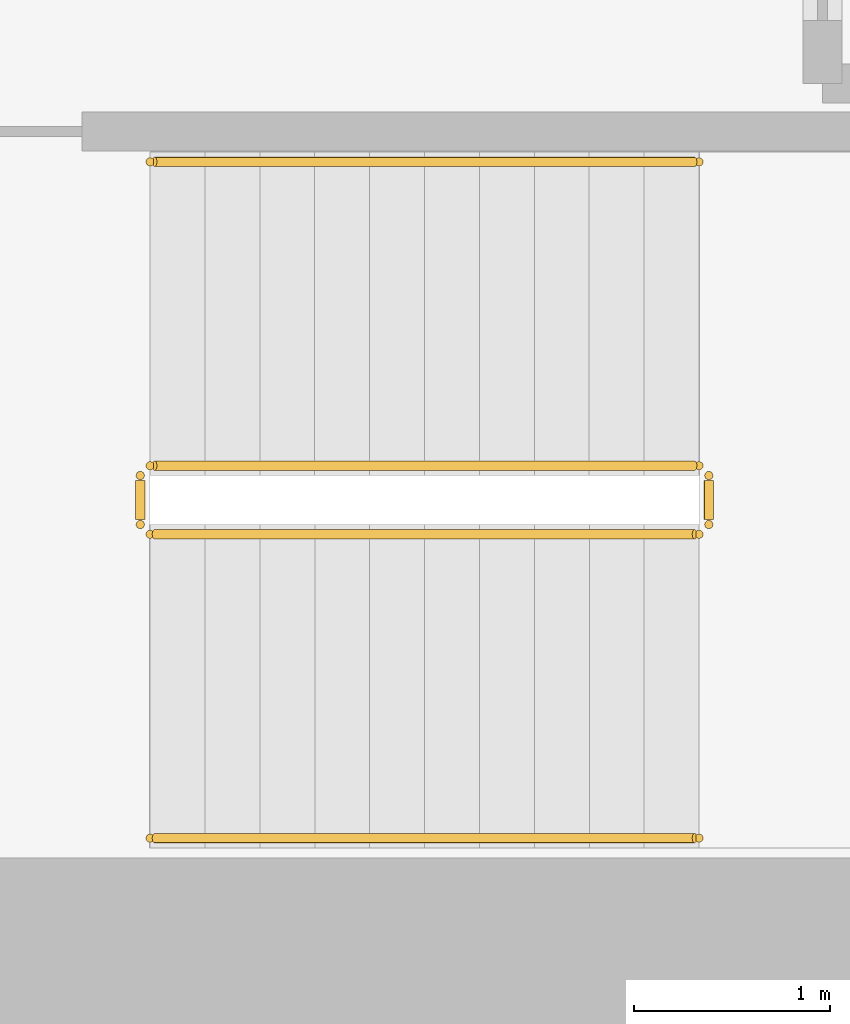
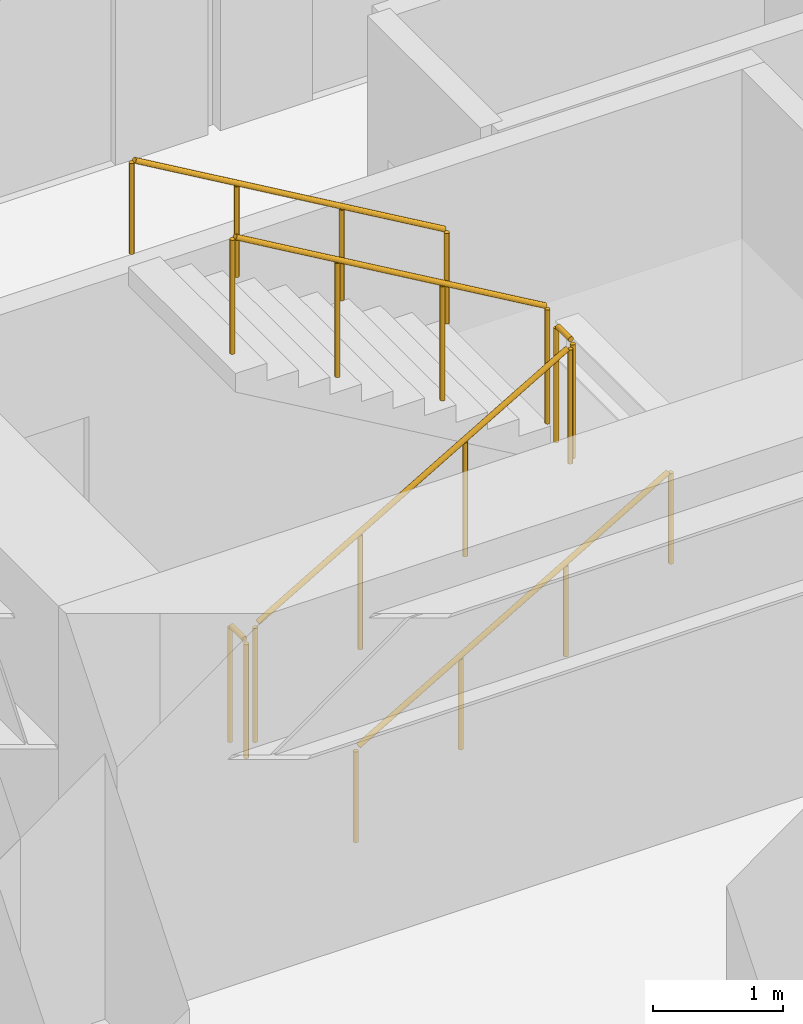
# One storey, part 14 of 14: 6 railings.
"""IFC4 building model written with IfcOpenShell, lengths in metres."""

from ifc_helpers import new_model, si_unit, direction, frame, origin, origin_2d, place, context, subcontext, project, spatial, circle, extrude, source, transform, mapped, material, layer, layer_set, type_object, element, save


model = new_model("IFC4")

# Units and contexts
model_context = context("Model", 3, precision=1e-05, world=origin(), true_north=direction((0.0, 1.0)))
body_context = subcontext(model_context, "Body", "Model", "MODEL_VIEW")
ifc_project = project(units=[si_unit("LENGTHUNIT", "METRE"), si_unit("AREAUNIT", "SQUARE_METRE"), si_unit("VOLUMEUNIT", "CUBIC_METRE"), si_unit("PLANEANGLEUNIT", "RADIAN"), si_unit("MASSUNIT", "GRAM", prefix="KILO")], contexts=[model_context])

# Site, building, storey
site_placement = place(None, origin())
site = spatial("IfcSite", under=ifc_project, at=site_placement, CompositionType="ELEMENT")
building_placement = place(site_placement, origin())
building = spatial("IfcBuilding", under=site, at=building_placement, Name="Kharzan Plaza Tower", CompositionType="ELEMENT")
storey_placement = place(building_placement, frame((0.0, 0.0, 36.89990234375)))
storey = spatial("IfcBuildingStorey", under=building, at=storey_placement, Name="L09", CompositionType="ELEMENT", Elevation=36.89990234375)

# Railings
ifc_material_1 = material(Name="Painted Galvanized Architectural Steel", Category="steel")
ifc_layer_1 = layer(ifc_material_1, 0.074951171875)
ifc_layer_set_1 = layer_set([ifc_layer_1], Name="Painted Galvanized Architectural Steel")
railing_type_1 = type_object("IfcRailingType", Name="RL-GUARD-1120", PredefinedType="BALUSTRADE", material=ifc_layer_set_1)
shared_shape_1 = source(origin(), body_context, "Body", "SweptSolid", [
    extrude(circle(Radius=0.02392578125, at=origin_2d()), frame((0.0, 0.0263671875, 1.09619140625), z_axis=(0.0, 1.0, 0.0), x_axis=(-1.0, 0.0, 0.0)), (0.0, 0.0, 1.0), 0.197021484375),
    extrude(circle(Radius=0.02099609375, at=origin_2d()), origin(), (0.0, 0.0, 1.0), 1.072021484375),
    extrude(circle(Radius=0.02099609375, at=origin_2d()), frame((0.0, 0.25, 0.0)), (0.0, 0.0, 1.0), 1.072021484375),
])
for number, where, name in (
    (1, (41.10009765625, 6.64990234375, 1.800048828125), "L09 ST-3 stair guard 2"),
    (2, (38.199951171875, 6.64990234375, 0.0), "L09 ST-3 stair guard 4"),
):
    element("IfcRailing", number, at=place(storey_placement, frame(where)), inside=storey, type_object=railing_type_1, Name=name, PredefinedType="BALUSTRADE", context=body_context, shape_type="MappedRepresentation", body=[
        mapped(shared_shape_1, transform((0.0, 0.0, 0.0), x_axis=(1.0, 0.0, 0.0), y_axis=(0.0, 1.0, 0.0), z_axis=(0.0, 0.0, 1.0))),
    ])
shared_shape_2 = source(origin(), body_context, "Body", "SweptSolid", [
    extrude(circle(Radius=0.02392578125, at=origin_2d()), frame((-0.02294921875, 0.0, 1.109375), z_axis=(-0.863360870873, 0.0, 0.504586966384), x_axis=(0.0, -1.0, 0.0)), (0.0, 0.0, 1.0), 3.190185546875),
    extrude(circle(Radius=0.02099609375, at=origin_2d()), origin(), (0.0, 0.0, 1.0), 1.072021484375),
    extrude(circle(Radius=0.02099609375, at=origin_2d()), frame((-0.933349609375, 0.0, 0.54541015625)), (0.0, 0.0, 1.0), 1.072021484375),
    extrude(circle(Radius=0.02099609375, at=origin_2d()), frame((-1.86669921875, 0.0, 1.091064453125)), (0.0, 0.0, 1.0), 1.072021484375),
    extrude(circle(Radius=0.02099609375, at=origin_2d()), frame((-2.800048828125, 0.0, 1.636474609375)), (0.0, 0.0, 1.0), 1.072021484375),
])
railing_1_placement = place(storey_placement, frame((41.050048828125, 6.949951171875, 1.963623046875)))
element("IfcRailing", 3, at=railing_1_placement, inside=storey, type_object=railing_type_1, Name="L09 ST-3 stair guard 3", PredefinedType="BALUSTRADE", context=body_context, shape_type="MappedRepresentation", body=[
    mapped(shared_shape_2, transform((0.0, 0.0, 0.0), x_axis=(1.0, 0.0, 0.0), y_axis=(0.0, 1.0, 0.0), z_axis=(0.0, 0.0, 1.0))),
])
ifc_material_2 = material(Name="Brushed Stainless Steel", Category="steel")
ifc_layer_2 = layer(ifc_material_2, 0.050048828125)
ifc_layer_set_2 = layer_set([ifc_layer_2], Name="Brushed Stainless Steel")
railing_type_2 = type_object("IfcRailingType", Name="RL-STAIR-HR920", PredefinedType="HANDRAIL", material=ifc_layer_set_2)
shared_shape_3 = source(origin(), body_context, "Body", "SweptSolid", [
    extrude(circle(Radius=0.02392578125, at=origin_2d()), frame((-0.02294921875, 0.0, 0.88916015625), z_axis=(-0.863360870873, 0.0, 0.504586966384), x_axis=(0.0, -1.0, 0.0)), (0.0, 0.0, 1.0), 3.190185546875),
    extrude(circle(Radius=0.02099609375, at=origin_2d()), origin(), (0.0, 0.0, 1.0), 0.851806640625),
    extrude(circle(Radius=0.02099609375, at=origin_2d()), frame((-0.933349609375, 0.0, 0.54541015625)), (0.0, 0.0, 1.0), 0.851806640625),
    extrude(circle(Radius=0.02099609375, at=origin_2d()), frame((-1.86669921875, 0.0, 1.091064453125)), (0.0, 0.0, 1.0), 0.851806640625),
    extrude(circle(Radius=0.02099609375, at=origin_2d()), frame((-2.800048828125, 0.0, 1.636474609375)), (0.0, 0.0, 1.0), 0.851806640625),
])
railing_2_placement = place(storey_placement, frame((41.050048828125, 8.5, 1.963623046875)))
element("IfcRailing", 4, at=railing_2_placement, inside=storey, type_object=railing_type_2, Name="L09 ST-3 stair handrail 2", PredefinedType="HANDRAIL", context=body_context, shape_type="MappedRepresentation", body=[
    mapped(shared_shape_3, transform((0.0, 0.0, 0.0), x_axis=(1.0, 0.0, 0.0), y_axis=(0.0, 1.0, 0.0), z_axis=(0.0, 0.0, 1.0))),
])
shared_shape_4 = source(origin(), body_context, "Body", "SweptSolid", [
    extrude(circle(Radius=0.02392578125, at=origin_2d()), frame((0.02294921875, 0.0, 1.109375), z_axis=(0.863393664356, 0.0, 0.504530851732), x_axis=(0.0, 1.0, 0.0)), (0.0, 0.0, 1.0), 3.190185546875),
    extrude(circle(Radius=0.02099609375, at=origin_2d()), origin(), (0.0, 0.0, 1.0), 1.072021484375),
    extrude(circle(Radius=0.02099609375, at=origin_2d()), frame((0.933349609375, 0.0, 0.54541015625)), (0.0, 0.0, 1.0), 1.072021484375),
    extrude(circle(Radius=0.02099609375, at=origin_2d()), frame((1.86669921875, 0.0, 1.0908203125)), (0.0, 0.0, 1.0), 1.072021484375),
    extrude(circle(Radius=0.02099609375, at=origin_2d()), frame((2.800048828125, 0.0, 1.63623046875)), (0.0, 0.0, 1.0), 1.072021484375),
])
railing_3_placement = place(storey_placement, frame((38.25, 6.60009765625, 0.163818359375)))
element("IfcRailing", 5, at=railing_3_placement, inside=storey, type_object=railing_type_1, Name="L09 ST-3 stair guard 1", PredefinedType="BALUSTRADE", context=body_context, shape_type="MappedRepresentation", body=[
    mapped(shared_shape_4, transform((0.0, 0.0, 0.0), x_axis=(1.0, 0.0, 0.0), y_axis=(0.0, 1.0, 0.0), z_axis=(0.0, 0.0, 1.0))),
])
shared_shape_5 = source(origin(), body_context, "Body", "SweptSolid", [
    extrude(circle(Radius=0.02392578125, at=origin_2d()), frame((0.02294921875, 0.0, 0.88916015625), z_axis=(0.863393664356, 0.0, 0.504530851732), x_axis=(0.0, 1.0, 0.0)), (0.0, 0.0, 1.0), 3.190185546875),
    extrude(circle(Radius=0.02099609375, at=origin_2d()), origin(), (0.0, 0.0, 1.0), 0.851806640625),
    extrude(circle(Radius=0.02099609375, at=origin_2d()), frame((0.933349609375, 0.0, 0.54541015625)), (0.0, 0.0, 1.0), 0.851806640625),
    extrude(circle(Radius=0.02099609375, at=origin_2d()), frame((1.86669921875, 0.0, 1.0908203125)), (0.0, 0.0, 1.0), 0.851806640625),
    extrude(circle(Radius=0.02099609375, at=origin_2d()), frame((2.800048828125, 0.0, 1.63623046875)), (0.0, 0.0, 1.0), 0.851806640625),
])
railing_4_placement = place(storey_placement, frame((38.25, 5.050048828125, 0.163818359375)))
element("IfcRailing", 6, at=railing_4_placement, inside=storey, type_object=railing_type_2, Name="L09 ST-3 stair handrail 1", PredefinedType="HANDRAIL", context=body_context, shape_type="MappedRepresentation", body=[
    mapped(shared_shape_5, transform((0.0, 0.0, 0.0), x_axis=(1.0, 0.0, 0.0), y_axis=(0.0, 1.0, 0.0), z_axis=(0.0, 0.0, 1.0))),
])

save(model, "model.ifc")
